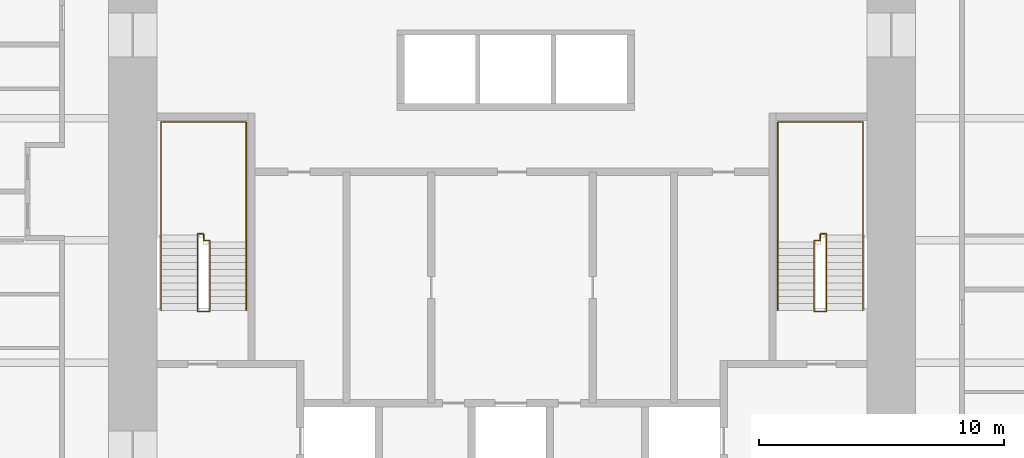
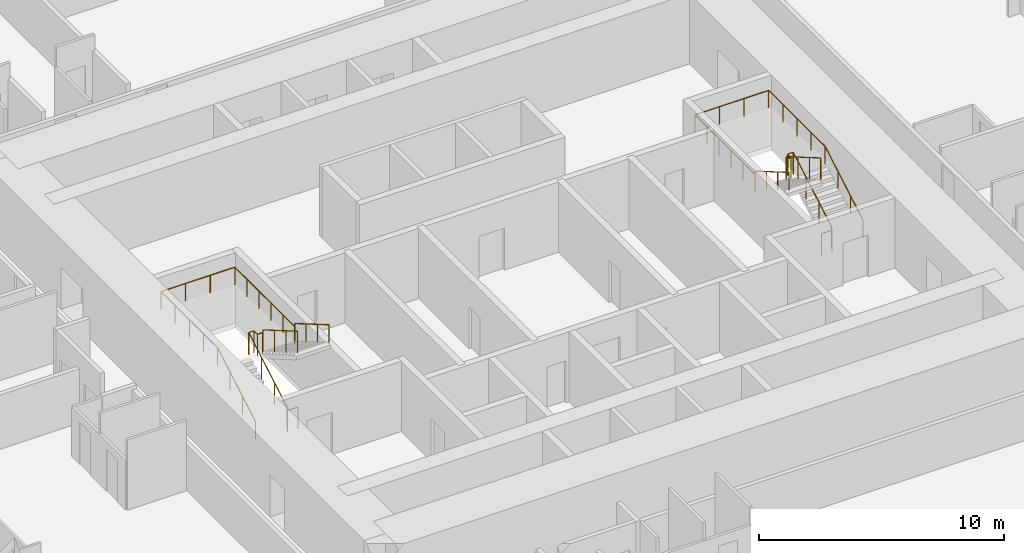
# One storey, part 20 of 20: 4 railings.
"""IFC4 building model written with IfcOpenShell, lengths in metres."""

from ifc_helpers import new_model, si_unit, direction, frame, origin, origin_2d, place, context, subcontext, project, spatial, circle, extrude, material, type_object, element, save


model = new_model("IFC4")

# Units and contexts
model_context = context("Model", 3, precision=1e-05, world=origin(), true_north=direction((0.0, 1.0)))
body_context = subcontext(model_context, "Body", "Model", "MODEL_VIEW")
ifc_project = project(units=[si_unit("LENGTHUNIT", "METRE"), si_unit("AREAUNIT", "SQUARE_METRE"), si_unit("VOLUMEUNIT", "CUBIC_METRE"), si_unit("PLANEANGLEUNIT", "RADIAN"), si_unit("MASSUNIT", "GRAM", prefix="KILO")], contexts=[model_context])

# Site, building, storey
site_placement = place(None, origin())
site = spatial("IfcSite", under=ifc_project, at=site_placement, CompositionType="ELEMENT")
building_placement = place(site_placement, origin())
building = spatial("IfcBuilding", under=site, at=building_placement, Name="Khuree Lantern Residences", CompositionType="ELEMENT")
storey_placement = place(building_placement, frame((0.0, 0.0, 32.25)))
storey = spatial("IfcBuildingStorey", under=building, at=storey_placement, Name="L07", CompositionType="ELEMENT", Elevation=32.25)

# Railings
ifc_material = material(Name="Steel S355", Category="steel")
railing_type_1 = type_object("IfcRailingType", Name="STAIR GUARD G1 1100", PredefinedType="GUARDRAIL", material=ifc_material)
railing_1_placement = place(storey_placement, frame((-12.35009765625, -2.909912109375, 0.0)))
element("IfcRailing", 1, at=railing_1_placement, inside=storey, type_object=railing_type_1, Name="Stair ST1 guard", PredefinedType="GUARDRAIL", context=body_context, shape_type="SweptSolid", body=[
    extrude(circle(Radius=0.02392578125, at=origin_2d()), frame((0.0, 0.0, 1.076171875), z_axis=(-1.0, 0.0, 0.0), x_axis=(0.0, -1.0, 0.0)), (0.0, 0.0, 1.0), 0.5),
    extrude(circle(Radius=0.02392578125, at=origin_2d()), frame((-0.5, 0.0, 1.076171875), z_axis=(0.0, 0.292073035251, 0.95639601739), x_axis=(-1.0, 0.0, 0.0)), (0.0, 0.0, 1.0), 0.17041015625),
    extrude(circle(Radius=0.02392578125, at=origin_2d()), frame((-0.5, 0.0498046875, 1.2392578125), z_axis=(0.0, 0.864176135923, 0.503189433615), x_axis=(-1.0, 0.0, 0.0)), (0.0, 0.0, 1.0), 3.564208984375),
    extrude(circle(Radius=0.02392578125, at=origin_2d()), frame((-0.5, 3.1298828125, 3.03271484375), z_axis=(0.0, 1.0, 0.0), x_axis=(-1.0, 0.0, 0.0)), (0.0, 0.0, 1.0), 0.050048828125),
    extrude(circle(Radius=0.02392578125, at=origin_2d()), frame((-0.5, 3.179931640625, 3.03271484375), z_axis=(1.0, 0.0, 0.0), x_axis=(0.0, 1.0, 0.0)), (0.0, 0.0, 1.0), 0.25),
    extrude(circle(Radius=0.02392578125, at=origin_2d()), frame((-0.25, 3.179931640625, 3.03271484375), z_axis=(0.0, -1.0, 0.0), x_axis=(1.0, 0.0, 0.0)), (0.0, 0.0, 1.0), 0.280029296875),
    extrude(circle(Radius=0.02392578125, at=origin_2d()), frame((-0.25, 2.89990234375, 3.03271484375), z_axis=(1.0, 0.0, 0.0), x_axis=(0.0, 1.0, 0.0)), (0.0, 0.0, 1.0), 0.25),
    extrude(circle(Radius=0.02392578125, at=origin_2d()), frame((0.0, 2.89990234375, 3.03271484375), z_axis=(0.0, -0.293381807449, 0.955995353053), x_axis=(1.0, 0.0, 0.0)), (0.0, 0.0, 1.0), 0.170654296875),
    extrude(circle(Radius=0.02392578125, at=origin_2d()), frame((0.0, 2.849853515625, 3.19580078125), z_axis=(0.0, -0.864180358799, 0.503182181189), x_axis=(1.0, 0.0, 0.0)), (0.0, 0.0, 1.0), 3.240234375),
    extrude(circle(Radius=0.02099609375, at=origin_2d()), origin(), (0.0, 0.0, 1.0), 1.052001953125),
    extrude(circle(Radius=0.02099609375, at=origin_2d()), frame((-0.5, 0.0, 0.0)), (0.0, 0.0, 1.0), 1.052001953125),
    extrude(circle(Radius=0.02099609375, at=origin_2d()), frame((-0.5, 0.0498046875, 0.1630859375)), (0.0, 0.0, 1.0), 1.052001953125),
    extrude(circle(Radius=0.02099609375, at=origin_2d()), frame((-0.5, 1.076416015625, 0.760986328125)), (0.0, 0.0, 1.0), 1.052001953125),
    extrude(circle(Radius=0.02099609375, at=origin_2d()), frame((-0.5, 2.103271484375, 1.358642578125)), (0.0, 0.0, 1.0), 1.052001953125),
    extrude(circle(Radius=0.02099609375, at=origin_2d()), frame((-0.5, 3.1298828125, 1.95654296875)), (0.0, 0.0, 1.0), 1.052001953125),
    extrude(circle(Radius=0.02099609375, at=origin_2d()), frame((-0.5, 3.179931640625, 1.95654296875)), (0.0, 0.0, 1.0), 1.052001953125),
    extrude(circle(Radius=0.02099609375, at=origin_2d()), frame((-0.25, 3.179931640625, 1.95654296875)), (0.0, 0.0, 1.0), 1.052001953125),
    extrude(circle(Radius=0.02099609375, at=origin_2d()), frame((-0.25, 2.89990234375, 1.95654296875)), (0.0, 0.0, 1.0), 1.052001953125),
    extrude(circle(Radius=0.02099609375, at=origin_2d()), frame((0.0, 2.89990234375, 1.95654296875)), (0.0, 0.0, 1.0), 1.052001953125),
    extrude(circle(Radius=0.02099609375, at=origin_2d()), frame((0.0, 2.849853515625, 2.11962890625)), (0.0, 0.0, 1.0), 1.052001953125),
    extrude(circle(Radius=0.02099609375, at=origin_2d()), frame((0.0, 1.91650390625, 2.6630859375)), (0.0, 0.0, 1.0), 1.052001953125),
    extrude(circle(Radius=0.02099609375, at=origin_2d()), frame((0.0, 0.983154296875, 3.20654296875)), (0.0, 0.0, 1.0), 1.052001953125),
    extrude(circle(Radius=0.02099609375, at=origin_2d()), frame((0.0, 0.0498046875, 3.75)), (0.0, 0.0, 1.0), 1.052001953125),
])
railing_2_placement = place(storey_placement, frame((12.35009765625, -2.909912109375, 0.0)))
element("IfcRailing", 2, at=railing_2_placement, inside=storey, type_object=railing_type_1, Name="Stair ST2 guard", PredefinedType="GUARDRAIL", context=body_context, shape_type="SweptSolid", body=[
    extrude(circle(Radius=0.02392578125, at=origin_2d()), frame((0.0, 0.0, 1.076171875), z_axis=(1.0, 0.0, 0.0), x_axis=(0.0, 1.0, 0.0)), (0.0, 0.0, 1.0), 0.5),
    extrude(circle(Radius=0.02392578125, at=origin_2d()), frame((0.5, 0.0, 1.076171875), z_axis=(0.0, 0.292073035251, 0.95639601739), x_axis=(-1.0, 0.0, 0.0)), (0.0, 0.0, 1.0), 0.17041015625),
    extrude(circle(Radius=0.02392578125, at=origin_2d()), frame((0.5, 0.0498046875, 1.2392578125), z_axis=(0.0, 0.864176135923, 0.503189433615), x_axis=(-1.0, 0.0, 0.0)), (0.0, 0.0, 1.0), 3.564208984375),
    extrude(circle(Radius=0.02392578125, at=origin_2d()), frame((0.5, 3.1298828125, 3.03271484375), z_axis=(0.0, 1.0, 0.0), x_axis=(-1.0, 0.0, 0.0)), (0.0, 0.0, 1.0), 0.050048828125),
    extrude(circle(Radius=0.02392578125, at=origin_2d()), frame((0.5, 3.179931640625, 3.03271484375), z_axis=(-1.0, 0.0, 0.0), x_axis=(0.0, -1.0, 0.0)), (0.0, 0.0, 1.0), 0.25),
    extrude(circle(Radius=0.02392578125, at=origin_2d()), frame((0.25, 3.179931640625, 3.03271484375), z_axis=(0.0, -1.0, 0.0), x_axis=(1.0, 0.0, 0.0)), (0.0, 0.0, 1.0), 0.280029296875),
    extrude(circle(Radius=0.02392578125, at=origin_2d()), frame((0.25, 2.89990234375, 3.03271484375), z_axis=(-1.0, 0.0, 0.0), x_axis=(0.0, -1.0, 0.0)), (0.0, 0.0, 1.0), 0.25),
    extrude(circle(Radius=0.02392578125, at=origin_2d()), frame((0.0, 2.89990234375, 3.03271484375), z_axis=(0.0, -0.293381807449, 0.955995353053), x_axis=(1.0, 0.0, 0.0)), (0.0, 0.0, 1.0), 0.170654296875),
    extrude(circle(Radius=0.02392578125, at=origin_2d()), frame((0.0, 2.849853515625, 3.19580078125), z_axis=(0.0, -0.864180358799, 0.503182181189), x_axis=(1.0, 0.0, 0.0)), (0.0, 0.0, 1.0), 3.240234375),
    extrude(circle(Radius=0.02099609375, at=origin_2d()), origin(), (0.0, 0.0, 1.0), 1.052001953125),
    extrude(circle(Radius=0.02099609375, at=origin_2d()), frame((0.5, 0.0, 0.0)), (0.0, 0.0, 1.0), 1.052001953125),
    extrude(circle(Radius=0.02099609375, at=origin_2d()), frame((0.5, 0.0498046875, 0.1630859375)), (0.0, 0.0, 1.0), 1.052001953125),
    extrude(circle(Radius=0.02099609375, at=origin_2d()), frame((0.5, 1.076416015625, 0.760986328125)), (0.0, 0.0, 1.0), 1.052001953125),
    extrude(circle(Radius=0.02099609375, at=origin_2d()), frame((0.5, 2.103271484375, 1.358642578125)), (0.0, 0.0, 1.0), 1.052001953125),
    extrude(circle(Radius=0.02099609375, at=origin_2d()), frame((0.5, 3.1298828125, 1.95654296875)), (0.0, 0.0, 1.0), 1.052001953125),
    extrude(circle(Radius=0.02099609375, at=origin_2d()), frame((0.5, 3.179931640625, 1.95654296875)), (0.0, 0.0, 1.0), 1.052001953125),
    extrude(circle(Radius=0.02099609375, at=origin_2d()), frame((0.25, 3.179931640625, 1.95654296875)), (0.0, 0.0, 1.0), 1.052001953125),
    extrude(circle(Radius=0.02099609375, at=origin_2d()), frame((0.25, 2.89990234375, 1.95654296875)), (0.0, 0.0, 1.0), 1.052001953125),
    extrude(circle(Radius=0.02099609375, at=origin_2d()), frame((0.0, 2.89990234375, 1.95654296875)), (0.0, 0.0, 1.0), 1.052001953125),
    extrude(circle(Radius=0.02099609375, at=origin_2d()), frame((0.0, 2.849853515625, 2.11962890625)), (0.0, 0.0, 1.0), 1.052001953125),
    extrude(circle(Radius=0.02099609375, at=origin_2d()), frame((0.0, 1.91650390625, 2.6630859375)), (0.0, 0.0, 1.0), 1.052001953125),
    extrude(circle(Radius=0.02099609375, at=origin_2d()), frame((0.0, 0.983154296875, 3.20654296875)), (0.0, 0.0, 1.0), 1.052001953125),
    extrude(circle(Radius=0.02099609375, at=origin_2d()), frame((0.0, 0.0498046875, 3.75)), (0.0, 0.0, 1.0), 1.052001953125),
])
railing_type_2 = type_object("IfcRailingType", Name="STAIR HANDRAIL H1 900", PredefinedType="HANDRAIL", material=ifc_material)
railing_3_placement = place(storey_placement, frame((-14.340087890625, -2.860107421875, 0.1630859375)))
element("IfcRailing", 3, at=railing_3_placement, inside=storey, type_object=railing_type_2, Name="Stair ST1 handrail", PredefinedType="HANDRAIL", context=body_context, shape_type="SweptSolid", body=[
    extrude(circle(Radius=0.02392578125, at=origin_2d()), frame((0.0, 0.0, 0.8759765625), z_axis=(0.0, 0.864176135923, 0.503189433615), x_axis=(-1.0, 0.0, 0.0)), (0.0, 0.0, 1.0), 3.564208984375),
    extrude(circle(Radius=0.02392578125, at=origin_2d()), frame((0.0, 3.080078125, 2.66943359375), z_axis=(0.0, 1.0, 0.0), x_axis=(-1.0, 0.0, 0.0)), (0.0, 0.0, 1.0), 4.6201171875),
    extrude(circle(Radius=0.02392578125, at=origin_2d()), frame((0.0, 7.7001953125, 2.66943359375), z_axis=(1.0, 0.0, 0.0), x_axis=(0.0, 1.0, 0.0)), (0.0, 0.0, 1.0), 3.47998046875),
    extrude(circle(Radius=0.02392578125, at=origin_2d()), frame((3.47998046875, 7.7001953125, 2.66943359375), z_axis=(0.0, -1.0, 0.0), x_axis=(1.0, 0.0, 0.0)), (0.0, 0.0, 1.0), 4.900146484375),
    extrude(circle(Radius=0.02392578125, at=origin_2d()), frame((3.47998046875, 2.800048828125, 2.66943359375), z_axis=(0.0, 0.0, 1.0), x_axis=(1.0, 0.0, 0.0)), (0.0, 0.0, 1.0), 0.1630859375),
    extrude(circle(Radius=0.02392578125, at=origin_2d()), frame((3.47998046875, 2.800048828125, 2.83251953125), z_axis=(0.0, -0.864180358799, 0.503182181189), x_axis=(1.0, 0.0, 0.0)), (0.0, 0.0, 1.0), 3.240234375),
    extrude(circle(Radius=0.02099609375, at=origin_2d()), origin(), (0.0, 0.0, 1.0), 0.851806640625),
    extrude(circle(Radius=0.02099609375, at=origin_2d()), frame((0.0, 1.026611328125, 0.597900390625)), (0.0, 0.0, 1.0), 0.851806640625),
    extrude(circle(Radius=0.02099609375, at=origin_2d()), frame((0.0, 2.053466796875, 1.195556640625)), (0.0, 0.0, 1.0), 0.851806640625),
    extrude(circle(Radius=0.02099609375, at=origin_2d()), frame((0.0, 3.080078125, 1.79345703125)), (0.0, 0.0, 1.0), 0.851806640625),
    extrude(circle(Radius=0.02099609375, at=origin_2d()), frame((0.0, 4.235107421875, 1.79345703125)), (0.0, 0.0, 1.0), 0.851806640625),
    extrude(circle(Radius=0.02099609375, at=origin_2d()), frame((0.0, 5.39013671875, 1.79345703125)), (0.0, 0.0, 1.0), 0.851806640625),
    extrude(circle(Radius=0.02099609375, at=origin_2d()), frame((0.0, 6.545166015625, 1.79345703125)), (0.0, 0.0, 1.0), 0.851806640625),
    extrude(circle(Radius=0.02099609375, at=origin_2d()), frame((0.0, 7.7001953125, 1.79345703125)), (0.0, 0.0, 1.0), 0.851806640625),
    extrude(circle(Radius=0.02099609375, at=origin_2d()), frame((1.159912109375, 7.7001953125, 1.79345703125)), (0.0, 0.0, 1.0), 0.851806640625),
    extrude(circle(Radius=0.02099609375, at=origin_2d()), frame((2.320068359375, 7.7001953125, 1.79345703125)), (0.0, 0.0, 1.0), 0.851806640625),
    extrude(circle(Radius=0.02099609375, at=origin_2d()), frame((3.47998046875, 7.7001953125, 1.79345703125)), (0.0, 0.0, 1.0), 0.851806640625),
    extrude(circle(Radius=0.02099609375, at=origin_2d()), frame((3.47998046875, 6.72021484375, 1.79345703125)), (0.0, 0.0, 1.0), 0.851806640625),
    extrude(circle(Radius=0.02099609375, at=origin_2d()), frame((3.47998046875, 5.740234375, 1.79345703125)), (0.0, 0.0, 1.0), 0.851806640625),
    extrude(circle(Radius=0.02099609375, at=origin_2d()), frame((3.47998046875, 4.760009765625, 1.79345703125)), (0.0, 0.0, 1.0), 0.851806640625),
    extrude(circle(Radius=0.02099609375, at=origin_2d()), frame((3.47998046875, 3.780029296875, 1.79345703125)), (0.0, 0.0, 1.0), 0.851806640625),
    extrude(circle(Radius=0.02099609375, at=origin_2d()), frame((3.47998046875, 2.800048828125, 1.79345703125)), (0.0, 0.0, 1.0), 0.851806640625),
    extrude(circle(Radius=0.02099609375, at=origin_2d()), frame((3.47998046875, 2.800048828125, 1.95654296875)), (0.0, 0.0, 1.0), 0.851806640625),
    extrude(circle(Radius=0.02099609375, at=origin_2d()), frame((3.47998046875, 1.86669921875, 2.5)), (0.0, 0.0, 1.0), 0.851806640625),
    extrude(circle(Radius=0.02099609375, at=origin_2d()), frame((3.47998046875, 0.933349609375, 3.04345703125)), (0.0, 0.0, 1.0), 0.851806640625),
    extrude(circle(Radius=0.02099609375, at=origin_2d()), frame((3.47998046875, 0.0, 3.5869140625)), (0.0, 0.0, 1.0), 0.851806640625),
])
railing_4_placement = place(storey_placement, frame((14.340087890625, -2.860107421875, 0.1630859375)))
element("IfcRailing", 4, at=railing_4_placement, inside=storey, type_object=railing_type_2, Name="Stair ST2 handrail", PredefinedType="HANDRAIL", context=body_context, shape_type="SweptSolid", body=[
    extrude(circle(Radius=0.02392578125, at=origin_2d()), frame((0.0, 0.0, 0.8759765625), z_axis=(0.0, 0.864176135923, 0.503189433615), x_axis=(-1.0, 0.0, 0.0)), (0.0, 0.0, 1.0), 3.564208984375),
    extrude(circle(Radius=0.02392578125, at=origin_2d()), frame((0.0, 3.080078125, 2.66943359375), z_axis=(0.0, 1.0, 0.0), x_axis=(-1.0, 0.0, 0.0)), (0.0, 0.0, 1.0), 4.6201171875),
    extrude(circle(Radius=0.02392578125, at=origin_2d()), frame((0.0, 7.7001953125, 2.66943359375), z_axis=(-1.0, 0.0, 0.0), x_axis=(0.0, -1.0, 0.0)), (0.0, 0.0, 1.0), 3.47998046875),
    extrude(circle(Radius=0.02392578125, at=origin_2d()), frame((-3.47998046875, 7.7001953125, 2.66943359375), z_axis=(0.0, -1.0, 0.0), x_axis=(1.0, 0.0, 0.0)), (0.0, 0.0, 1.0), 4.900146484375),
    extrude(circle(Radius=0.02392578125, at=origin_2d()), frame((-3.47998046875, 2.800048828125, 2.66943359375), z_axis=(0.0, 0.0, 1.0), x_axis=(1.0, 0.0, 0.0)), (0.0, 0.0, 1.0), 0.1630859375),
    extrude(circle(Radius=0.02392578125, at=origin_2d()), frame((-3.47998046875, 2.800048828125, 2.83251953125), z_axis=(0.0, -0.864180358799, 0.503182181189), x_axis=(1.0, 0.0, 0.0)), (0.0, 0.0, 1.0), 3.240234375),
    extrude(circle(Radius=0.02099609375, at=origin_2d()), origin(), (0.0, 0.0, 1.0), 0.851806640625),
    extrude(circle(Radius=0.02099609375, at=origin_2d()), frame((0.0, 1.026611328125, 0.597900390625)), (0.0, 0.0, 1.0), 0.851806640625),
    extrude(circle(Radius=0.02099609375, at=origin_2d()), frame((0.0, 2.053466796875, 1.195556640625)), (0.0, 0.0, 1.0), 0.851806640625),
    extrude(circle(Radius=0.02099609375, at=origin_2d()), frame((0.0, 3.080078125, 1.79345703125)), (0.0, 0.0, 1.0), 0.851806640625),
    extrude(circle(Radius=0.02099609375, at=origin_2d()), frame((0.0, 4.235107421875, 1.79345703125)), (0.0, 0.0, 1.0), 0.851806640625),
    extrude(circle(Radius=0.02099609375, at=origin_2d()), frame((0.0, 5.39013671875, 1.79345703125)), (0.0, 0.0, 1.0), 0.851806640625),
    extrude(circle(Radius=0.02099609375, at=origin_2d()), frame((0.0, 6.545166015625, 1.79345703125)), (0.0, 0.0, 1.0), 0.851806640625),
    extrude(circle(Radius=0.02099609375, at=origin_2d()), frame((0.0, 7.7001953125, 1.79345703125)), (0.0, 0.0, 1.0), 0.851806640625),
    extrude(circle(Radius=0.02099609375, at=origin_2d()), frame((-1.159912109375, 7.7001953125, 1.79345703125)), (0.0, 0.0, 1.0), 0.851806640625),
    extrude(circle(Radius=0.02099609375, at=origin_2d()), frame((-2.320068359375, 7.7001953125, 1.79345703125)), (0.0, 0.0, 1.0), 0.851806640625),
    extrude(circle(Radius=0.02099609375, at=origin_2d()), frame((-3.47998046875, 7.7001953125, 1.79345703125)), (0.0, 0.0, 1.0), 0.851806640625),
    extrude(circle(Radius=0.02099609375, at=origin_2d()), frame((-3.47998046875, 6.72021484375, 1.79345703125)), (0.0, 0.0, 1.0), 0.851806640625),
    extrude(circle(Radius=0.02099609375, at=origin_2d()), frame((-3.47998046875, 5.740234375, 1.79345703125)), (0.0, 0.0, 1.0), 0.851806640625),
    extrude(circle(Radius=0.02099609375, at=origin_2d()), frame((-3.47998046875, 4.760009765625, 1.79345703125)), (0.0, 0.0, 1.0), 0.851806640625),
    extrude(circle(Radius=0.02099609375, at=origin_2d()), frame((-3.47998046875, 3.780029296875, 1.79345703125)), (0.0, 0.0, 1.0), 0.851806640625),
    extrude(circle(Radius=0.02099609375, at=origin_2d()), frame((-3.47998046875, 2.800048828125, 1.79345703125)), (0.0, 0.0, 1.0), 0.851806640625),
    extrude(circle(Radius=0.02099609375, at=origin_2d()), frame((-3.47998046875, 2.800048828125, 1.95654296875)), (0.0, 0.0, 1.0), 0.851806640625),
    extrude(circle(Radius=0.02099609375, at=origin_2d()), frame((-3.47998046875, 1.86669921875, 2.5)), (0.0, 0.0, 1.0), 0.851806640625),
    extrude(circle(Radius=0.02099609375, at=origin_2d()), frame((-3.47998046875, 0.933349609375, 3.04345703125)), (0.0, 0.0, 1.0), 0.851806640625),
    extrude(circle(Radius=0.02099609375, at=origin_2d()), frame((-3.47998046875, 0.0, 3.5869140625)), (0.0, 0.0, 1.0), 0.851806640625),
])

save(model, "model.ifc")
